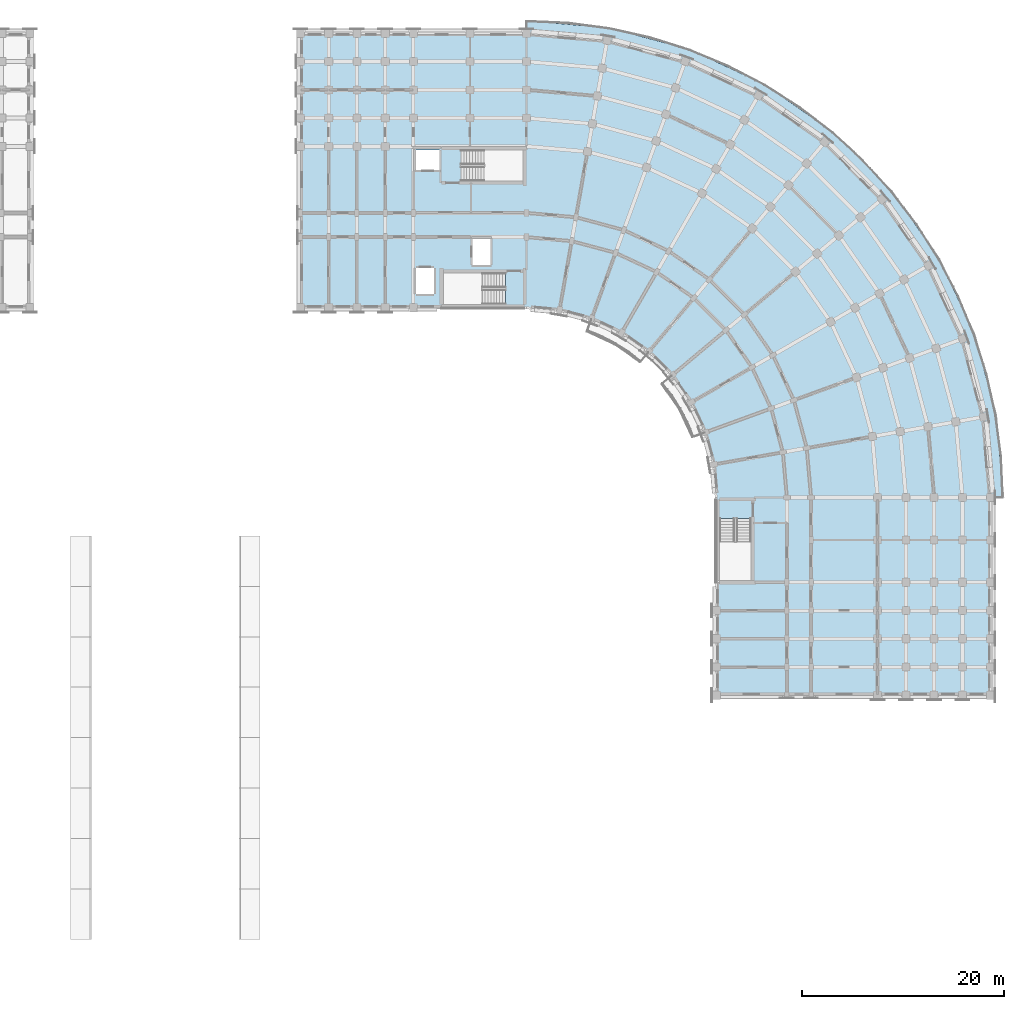
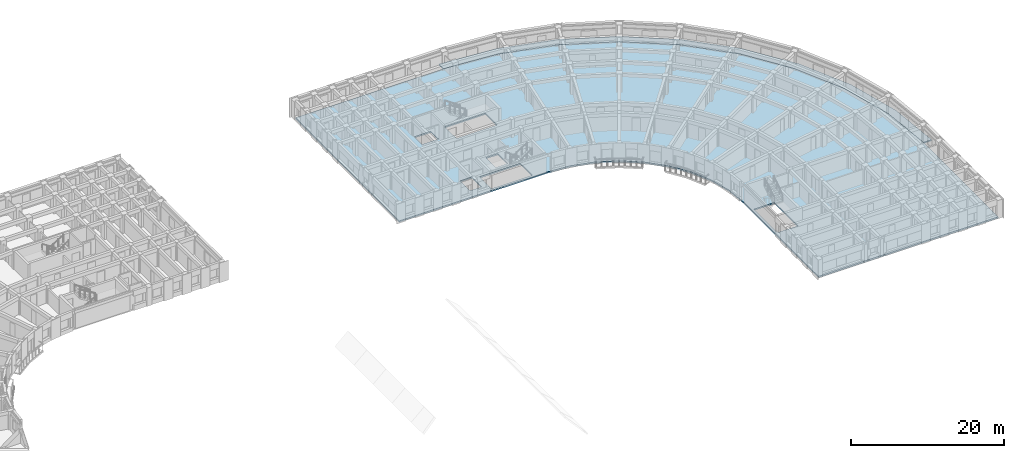
# One storey, part 14 of 54: 2 slabs.
"""IFC4 building model written with IfcOpenShell, lengths in metres."""

from ifc_helpers import new_model, si_unit, direction, frame, origin, place, context, subcontext, project, spatial, polyline, outline, extrude, material, layer, layer_set, type_object, element, save


model = new_model("IFC4")

# Units and contexts
model_context = context("Model", 3, precision=1e-05, world=origin(), true_north=direction((0.0, 1.0)))
body_context = subcontext(model_context, "Body", "Model", "MODEL_VIEW")
ifc_project = project(units=[si_unit("LENGTHUNIT", "METRE"), si_unit("AREAUNIT", "SQUARE_METRE"), si_unit("VOLUMEUNIT", "CUBIC_METRE"), si_unit("PLANEANGLEUNIT", "RADIAN"), si_unit("MASSUNIT", "GRAM", prefix="KILO")], contexts=[model_context])

# Site, building, storey
site_placement = place(None, origin())
site = spatial("IfcSite", under=ifc_project, at=site_placement, CompositionType="ELEMENT")
building_placement = place(site_placement, origin())
building = spatial("IfcBuilding", under=site, at=building_placement, Name="Kiranvali Square Residences", CompositionType="ELEMENT")
storey_placement = place(building_placement, frame((0.0, 0.0, 11.85009765625)))
storey = spatial("IfcBuildingStorey", under=building, at=storey_placement, Name="L03", CompositionType="ELEMENT", Elevation=11.85009765625)

# Slabs
ifc_material = material(Name="Concrete M35 (35 MPa)", Category="concrete")
ifc_layer_1 = layer(ifc_material, 0.179931640625)
ifc_layer_set_1 = layer_set([ifc_layer_1], Name="Concrete M35 (35 MPa)")
slab_type_1 = type_object("IfcSlabType", Name="SLB-BAL-180", PredefinedType="FLOOR", material=ifc_layer_set_1)
slab_1_placement = place(storey_placement, frame((0.0, 0.0, -0.18017578125)))
element("IfcSlab", 1, at=slab_1_placement, inside=storey, type_object=slab_type_1, Name="Block B L03 continuous curved corner balcony slab", PredefinedType="FLOOR", context=body_context, shape_type="SweptSolid", body=[
    extrude(outline(polyline([(119.800048828125, 133.800048828125), (127.787841796875, 133.10107421875), (135.532958984375, 131.02587890625), (142.800048828125, 127.63720703125), (149.3681640625, 123.0380859375), (155.0380859375, 117.3681640625), (159.63720703125, 110.800048828125), (163.02587890625, 103.532958984375), (165.10107421875, 95.787841796875), (165.800048828125, 87.800048828125), (167.050048828125, 87.800048828125), (166.332275390625, 96.0048828125), (164.200439453125, 103.96044921875), (160.7197265625, 111.425048828125), (155.99560546875, 118.171630859375), (150.171630859375, 123.99560546875), (143.425048828125, 128.7197265625), (135.96044921875, 132.200439453125), (128.0048828125, 134.332275390625), (119.800048828125, 135.050048828125), (119.800048828125, 133.800048828125)])), origin(), (0.0, 0.0, 1.0), 0.18017578125),
])
ifc_layer_2 = layer(ifc_material, 0.219970703125)
ifc_layer_set_2 = layer_set([ifc_layer_2], Name="Concrete M35 (35 MPa)")
slab_type_2 = type_object("IfcSlabType", Name="SLB-FLR-220", PredefinedType="FLOOR", material=ifc_layer_set_2)
slab_2_placement = place(storey_placement, frame((0.0, 0.0, -0.22021484375)))
element("IfcSlab", 2, at=slab_2_placement, inside=storey, type_object=slab_type_2, Name="Block B L03 structural floor slab", PredefinedType="FLOOR", context=body_context, shape_type="SweptSolid", body=[
    extrude(outline(polyline([(119.800048828125, 106.60009765625), (123.064697265625, 106.314453125), (126.22998046875, 105.46630859375), (129.199951171875, 104.081298828125), (131.884521484375, 102.20166015625), (134.20166015625, 99.884521484375), (136.081298828125, 97.199951171875), (137.46630859375, 94.22998046875), (138.314453125, 91.064697265625), (138.60009765625, 87.800048828125), (138.60009765625, 68.199951171875), (165.800048828125, 68.199951171875), (165.800048828125, 87.800048828125), (165.10107421875, 95.787841796875), (163.02587890625, 103.532958984375), (159.63720703125, 110.800048828125), (155.0380859375, 117.3681640625), (149.3681640625, 123.0380859375), (142.800048828125, 127.63720703125), (135.532958984375, 131.02587890625), (127.787841796875, 133.10107421875), (119.800048828125, 133.800048828125), (97.39990234375, 133.800048828125), (97.39990234375, 106.60009765625), (119.800048828125, 106.60009765625)]), holes=[polyline([(108.75, 120.25), (111.199951171875, 120.25), (111.199951171875, 122.25), (108.75, 122.25), (108.75, 120.25)]), polyline([(108.85009765625, 107.949951171875), (110.64990234375, 107.949951171875), (110.64990234375, 110.550048828125), (108.85009765625, 110.550048828125), (108.85009765625, 107.949951171875)]), polyline([(114.449951171875, 110.85009765625), (116.25, 110.85009765625), (116.25, 113.449951171875), (114.449951171875, 113.449951171875), (114.449951171875, 110.85009765625)]), polyline([(113.300048828125, 119.14990234375), (119.449951171875, 119.14990234375), (119.449951171875, 122.25), (113.300048828125, 122.25), (113.300048828125, 119.14990234375)]), polyline([(117.699951171875, 110.050048828125), (111.550048828125, 110.050048828125), (111.550048828125, 106.949951171875), (117.699951171875, 106.949951171875), (117.699951171875, 110.050048828125)]), polyline([(138.949951171875, 85.699951171875), (138.949951171875, 79.550048828125), (142.050048828125, 79.550048828125), (142.050048828125, 85.699951171875), (138.949951171875, 85.699951171875)])]), origin(), (0.0, 0.0, 1.0), 0.22021484375),
])

save(model, "model.ifc")
